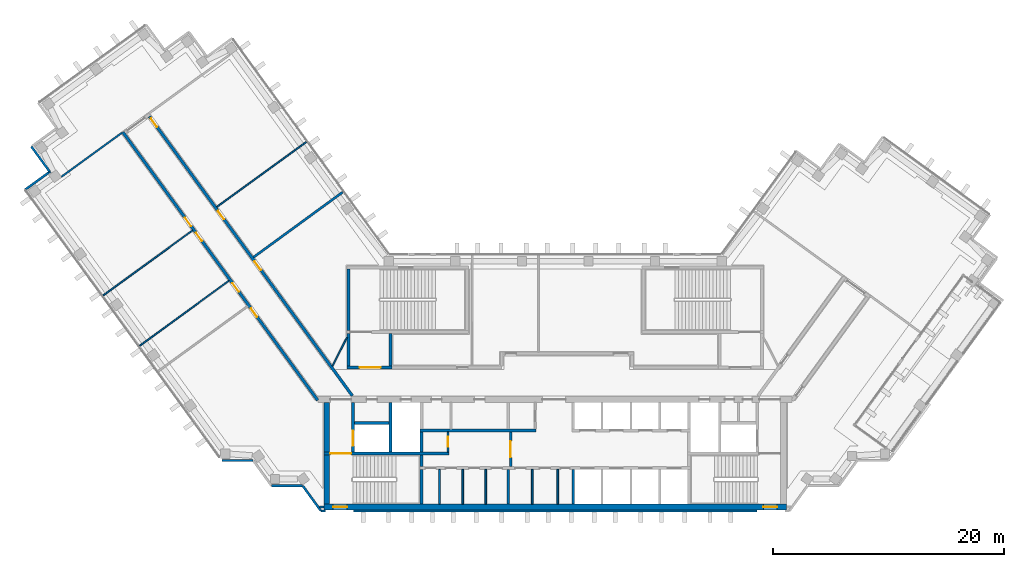
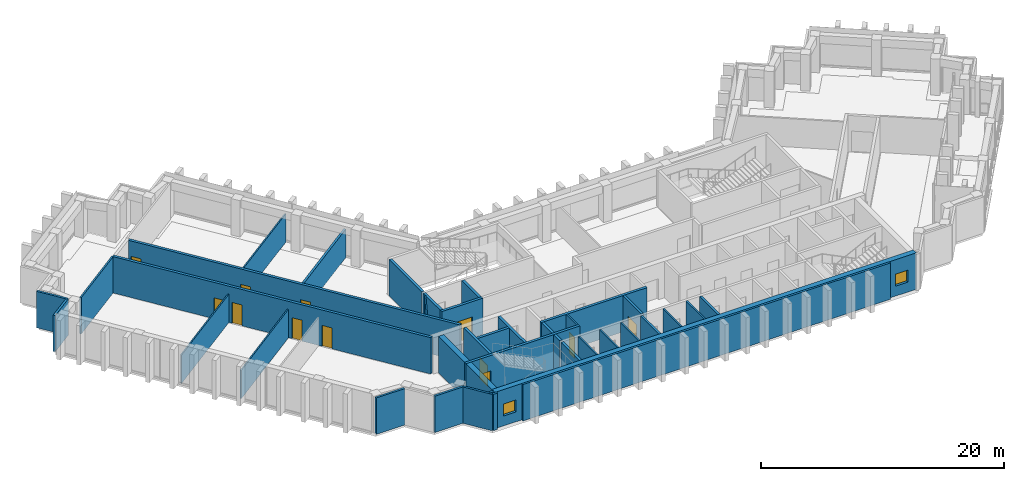
# One storey, part 4 of 10: 40 walls, 12 doors, 2 windows, 14 openings.
"""IFC4 building model written with IfcOpenShell, lengths in metres."""

from ifc_helpers import new_model, si_unit, direction, frame, frame_2d, origin, place, context, subcontext, project, spatial, rectangle, extrude, material, layer, layer_set, type_object, element, fill, save


model = new_model("IFC4")

# Units and contexts
model_context = context("Model", 3, precision=1e-05, world=origin(), true_north=direction((0.0, 1.0)))
body_context = subcontext(model_context, "Body", "Model", "MODEL_VIEW")
ifc_project = project(units=[si_unit("LENGTHUNIT", "METRE"), si_unit("AREAUNIT", "SQUARE_METRE"), si_unit("VOLUMEUNIT", "CUBIC_METRE"), si_unit("PLANEANGLEUNIT", "RADIAN"), si_unit("MASSUNIT", "GRAM", prefix="KILO")], contexts=[model_context])

# Site, building, storey
site_placement = place(None, origin())
site = spatial("IfcSite", under=ifc_project, at=site_placement, CompositionType="ELEMENT")
building_placement = place(site_placement, origin())
building = spatial("IfcBuilding", under=site, at=building_placement, Name="Quipu Civic Tower", CompositionType="ELEMENT")
storey_placement = place(building_placement, frame((0.0, 0.0, 202.0)))
storey = spatial("IfcBuildingStorey", under=building, at=storey_placement, Name="L47", CompositionType="ELEMENT", Elevation=202.0)

# Walls
ifc_material_1 = material(Name="Double gypsum plasterboard with mineral wool")
ifc_layer_1 = layer(ifc_material_1, 0.14990234375)
ifc_layer_set_1 = layer_set([ifc_layer_1], Name="Double gypsum plasterboard with mineral wool")
wall_type_1 = type_object("IfcWallType", Name="Acoustic partition 150 plasterboard", PredefinedType="PARTITIONING", material=ifc_layer_set_1)
wall_1_placement = place(storey_placement, frame((-42.69775390625, 17.809814453125, 0.0), z_axis=(0.0, 0.0, 1.0), x_axis=(0.80901688725, 0.587785399737, 0.0)))
element("IfcWall", 1, at=wall_1_placement, inside=storey, type_object=wall_type_1, Name="Partition P11", PredefinedType="PARTITIONING", context=body_context, shape_type="SweptSolid", body=[
    extrude(rectangle(XDim=6.464599609375, YDim=0.14990234375, at=frame_2d((3.232421875, 0.0))), origin(), (0.0, 0.0, 1.0), 3.64990234375),
])
ifc_material_2 = material(Name="Fired clay blockwork", Category="masonry")
ifc_layer_2 = layer(ifc_material_2, 0.199951171875)
ifc_layer_set_2 = layer_set([ifc_layer_2], Name="Fired clay blockwork")
wall_type_2 = type_object("IfcWallType", Name="Blockwork wall 200", PredefinedType="SOLIDWALL", material=ifc_layer_set_2)
wall_2_placement = place(storey_placement, frame((-26.089111328125, 10.847900390625, 0.0), z_axis=(0.0, 0.0, 1.0), x_axis=(0.807661302092, 0.589646691759, 0.0)))
element("IfcWall", 2, at=wall_2_placement, inside=storey, type_object=wall_type_2, Name="Partition P04", PredefinedType="SOLIDWALL", context=body_context, shape_type="SweptSolid", body=[
    extrude(rectangle(XDim=9.550048828125, YDim=0.199951171875, at=frame_2d((4.77490234375, 0.0))), origin(), (0.0, 0.0, 1.0), 2.85009765625),
])
ifc_material_3 = material(Name="Concrete C70/85", Category="concrete")
ifc_layer_3 = layer(ifc_material_3, 0.25)
ifc_layer_set_3 = layer_set([ifc_layer_3], Name="Concrete C70/85")
wall_type_3 = type_object("IfcWallType", Name="Core wall 250", PredefinedType="SHEAR", material=ifc_layer_set_3)
wall_3_placement = place(storey_placement, frame((-11.574951171875, -10.5, 0.0), z_axis=(0.0, 0.0, 1.0), x_axis=(0.0, 1.0, 0.0)))
element("IfcWall", 3, at=wall_3_placement, inside=storey, type_object=wall_type_3, Name="Core wall", PredefinedType="SHEAR", context=body_context, shape_type="SweptSolid", body=[
    extrude(rectangle(XDim=3.0, YDim=0.25, at=frame_2d((1.5, 0.0))), origin(), (0.0, 0.0, 1.0), 3.64990234375),
])
wall_4_placement = place(storey_placement, frame((-11.574951171875, -7.25, 0.0), z_axis=(0.0, 0.0, 1.0), x_axis=(0.0, 1.0, 0.0)))
element("IfcWall", 4, at=wall_4_placement, inside=storey, type_object=wall_type_3, Name="Core wall", PredefinedType="SHEAR", context=body_context, shape_type="SweptSolid", body=[
    extrude(rectangle(XDim=1.0, YDim=0.25, at=frame_2d((0.5, 0.0))), origin(), (0.0, 0.0, 1.0), 3.64990234375),
])

# Wall, opening, door
wall_5_placement = place(storey_placement, frame((-9.199951171875, -6.125, 0.0), z_axis=(0.0, 0.0, 1.0), x_axis=(-1.0, 0.0, 0.0)))
wall_5 = element("IfcWall", 5, at=wall_5_placement, inside=storey, type_object=wall_type_3, Name="Core wall", PredefinedType="SHEAR", context=body_context, shape_type="SweptSolid", body=[
    extrude(rectangle(XDim=10.800048828125, YDim=0.25, at=frame_2d((5.39990234375, 0.0))), origin(), (0.0, 0.0, 1.0), 3.64990234375),
])
opening_1_placement = place(wall_5_placement, frame((8.449951171875, 0.0, 0.0)))
opening_1 = element("IfcOpeningElement", 6, at=opening_1_placement, cuts=wall_5, Name="Opening CD-08", PredefinedType="OPENING", context=body_context, shape_type="SweptSolid", body=[
    extrude(rectangle(XDim=1.800048828125, YDim=2.10009765625, at=frame_2d((0.89990234375, 1.050048828125))), frame((0.0, 0.135009765625, 0.0), z_axis=(0.0, -1.0, 0.0), x_axis=(1.0, 0.0, 0.0)), (0.0, 0.0, 1.0), 0.27001953125),
])
ifc_material_4 = material(Name="Fire rated steel door", Category="steel")
door_type_1 = type_object("IfcDoorType", Name="Fire door FD90 double 1800 x 2100", OperationType="NOTDEFINED", PredefinedType="DOOR", material=ifc_material_4)
door_1_placement = place(opening_1_placement, origin())
door_1 = element("IfcDoor", 7, at=door_1_placement, inside=storey, type_object=door_type_1, Name="Door", OperationType="DOUBLE_DOOR_SINGLE_SWING", OverallHeight=2.10009765625, OverallWidth=1.800048828125, PredefinedType="DOOR", context=body_context, shape_type="SweptSolid", body=[
    extrude(rectangle(XDim=1.800048828125, YDim=2.10009765625, at=frame_2d((0.89990234375, 1.050048828125))), frame((0.0, 0.02490234375, 0.0), z_axis=(0.0, -1.0, 0.0), x_axis=(1.0, 0.0, 0.0)), (0.0, 0.0, 1.0), 0.050048828125),
])
fill(opening_1, door_1)

wall_6_placement = place(storey_placement, frame((-17.47509765625, -6.0, 0.0), z_axis=(0.0, 0.0, 1.0), x_axis=(0.0, 1.0, 0.0)))
wall_6 = element("IfcWall", 8, at=wall_6_placement, inside=storey, type_object=wall_type_3, Name="Core wall", PredefinedType="SHEAR", context=body_context, shape_type="SweptSolid", body=[
    extrude(rectangle(XDim=4.300048828125, YDim=0.25, at=frame_2d((2.14990234375, 0.0))), origin(), (0.0, 0.0, 1.0), 3.64990234375),
])
opening_2_placement = place(wall_6_placement, frame((0.550048828125, 0.0, 0.0)))
opening_2 = element("IfcOpeningElement", 9, at=opening_2_placement, cuts=wall_6, Name="Opening LD-FF1", PredefinedType="OPENING", context=body_context, shape_type="SweptSolid", body=[
    extrude(rectangle(XDim=1.300048828125, YDim=2.10009765625, at=frame_2d((0.64990234375, 1.050048828125))), frame((0.0, 0.135009765625, 0.0), z_axis=(0.0, -1.0, 0.0), x_axis=(1.0, 0.0, 0.0)), (0.0, 0.0, 1.0), 0.27001953125),
])
ifc_material_5 = material(Name="Stainless steel", Category="steel")
door_type_2 = type_object("IfcDoorType", Name="Lift landing door 1300 x 2100", OperationType="DOUBLE_DOOR_SLIDING", PredefinedType="DOOR", material=ifc_material_5)
door_2_placement = place(opening_2_placement, origin())
door_2 = element("IfcDoor", 10, at=door_2_placement, inside=storey, type_object=door_type_2, Name="Landing door FF1", OperationType="DOUBLE_DOOR_SLIDING", OverallHeight=2.10009765625, OverallWidth=1.300048828125, PredefinedType="DOOR", context=body_context, shape_type="SweptSolid", body=[
    extrude(rectangle(XDim=1.300048828125, YDim=2.10009765625, at=frame_2d((0.64990234375, 1.050048828125))), frame((0.0, 0.02490234375, 0.0), z_axis=(0.0, -1.0, 0.0), x_axis=(1.0, 0.0, 0.0)), (0.0, 0.0, 1.0), 0.050048828125),
])
fill(opening_2, door_2)

# Walls
wall_7_placement = place(storey_placement, frame((-14.22509765625, -6.0, 0.0), z_axis=(0.0, 0.0, 1.0), x_axis=(0.0, 1.0, 0.0)))
element("IfcWall", 11, at=wall_7_placement, inside=storey, type_object=wall_type_3, Name="Core wall", PredefinedType="SHEAR", context=body_context, shape_type="SweptSolid", body=[
    extrude(rectangle(XDim=4.300048828125, YDim=0.25, at=frame_2d((2.14990234375, 0.0))), origin(), (0.0, 0.0, 1.0), 3.64990234375),
])
wall_8_placement = place(storey_placement, frame((-11.574951171875, -6.0, 0.0), z_axis=(0.0, 0.0, 1.0), x_axis=(0.0, 1.0, 0.0)))
element("IfcWall", 12, at=wall_8_placement, inside=storey, type_object=wall_type_3, Name="Core wall", PredefinedType="SHEAR", context=body_context, shape_type="SweptSolid", body=[
    extrude(rectangle(XDim=1.75, YDim=0.25, at=frame_2d((0.875, 0.0))), origin(), (0.0, 0.0, 1.0), 3.64990234375),
])
wall_9_placement = place(storey_placement, frame((-11.699951171875, -4.125, 0.0), z_axis=(0.0, 0.0, 1.0), x_axis=(1.0, 0.0, 0.0)))
element("IfcWall", 13, at=wall_9_placement, inside=storey, type_object=wall_type_3, Name="Core wall", PredefinedType="SHEAR", context=body_context, shape_type="SweptSolid", body=[
    extrude(rectangle(XDim=10.050048828125, YDim=0.25, at=frame_2d((5.02490234375, 0.0))), origin(), (0.0, 0.0, 1.0), 3.64990234375),
])
wall_10_placement = place(storey_placement, frame((-17.35009765625, -3.47509765625, 0.0), z_axis=(0.0, 0.0, 1.0), x_axis=(1.0, 0.0, 0.0)))
element("IfcWall", 14, at=wall_10_placement, inside=storey, type_object=wall_type_3, Name="Core wall", PredefinedType="SHEAR", context=body_context, shape_type="SweptSolid", body=[
    extrude(rectangle(XDim=3.0, YDim=0.25, at=frame_2d((1.5, 0.0))), origin(), (0.0, 0.0, 1.0), 3.64990234375),
])

# Wall, opening, door
wall_11_placement = place(storey_placement, frame((-18.0, 1.324951171875, 0.0), z_axis=(0.0, 0.0, 1.0), x_axis=(1.0, 0.0, 0.0)))
wall_11 = element("IfcWall", 15, at=wall_11_placement, inside=storey, type_object=wall_type_3, Name="Core wall", PredefinedType="SHEAR", context=body_context, shape_type="SweptSolid", body=[
    extrude(rectangle(XDim=3.89990234375, YDim=0.25, at=frame_2d((1.949951171875, 0.0))), origin(), (0.0, 0.0, 1.0), 3.64990234375),
])
opening_3_placement = place(wall_11_placement, frame((1.10009765625, 0.0, 0.0)))
opening_3 = element("IfcOpeningElement", 16, at=opening_3_placement, cuts=wall_11, Name="Opening CD-23", PredefinedType="OPENING", context=body_context, shape_type="SweptSolid", body=[
    extrude(rectangle(XDim=1.800048828125, YDim=2.10009765625, at=frame_2d((0.89990234375, 1.050048828125))), frame((0.0, 0.135009765625, 0.0), z_axis=(0.0, -1.0, 0.0), x_axis=(1.0, 0.0, 0.0)), (0.0, 0.0, 1.0), 0.27001953125),
])
door_3_placement = place(opening_3_placement, origin())
door_3 = element("IfcDoor", 17, at=door_3_placement, inside=storey, type_object=door_type_1, Name="Lobby door", OperationType="DOUBLE_DOOR_SINGLE_SWING", OverallHeight=2.10009765625, OverallWidth=1.800048828125, PredefinedType="DOOR", context=body_context, shape_type="SweptSolid", body=[
    extrude(rectangle(XDim=1.800048828125, YDim=2.10009765625, at=frame_2d((0.89990234375, 1.050048828125))), frame((0.0, 0.02490234375, 0.0), z_axis=(0.0, -1.0, 0.0), x_axis=(1.0, 0.0, 0.0)), (0.0, 0.0, 1.0), 0.050048828125),
])
fill(opening_3, door_3)

# Walls
for number, where, z_axis, x_axis, name in (
    (18, (-17.875, 1.449951171875, 0.0), (0.0, 0.0, 1.0), (0.0, 1.0, 0.0), "Core wall"),
    (19, (-14.22509765625, 1.449951171875, 0.0), (0.0, 0.0, 1.0), (0.0, 1.0, 0.0), "Core wall"),
):
    element("IfcWall", number, at=place(storey_placement, frame(where, z_axis=z_axis, x_axis=x_axis)), inside=storey, type_object=wall_type_3, Name=name, PredefinedType="SHEAR", context=body_context, shape_type="SweptSolid", body=[
        extrude(rectangle(XDim=2.800048828125, YDim=0.25, at=frame_2d((1.39990234375, 0.0))), origin(), (0.0, 0.0, 1.0), 3.64990234375),
    ])
wall_12_placement = place(storey_placement, frame((-17.875, 4.5, 0.0), z_axis=(0.0, 0.0, 1.0), x_axis=(0.0, 1.0, 0.0)))
element("IfcWall", 20, at=wall_12_placement, inside=storey, type_object=wall_type_3, Name="Core wall", PredefinedType="SHEAR", context=body_context, shape_type="SweptSolid", body=[
    extrude(rectangle(XDim=5.35009765625, YDim=0.25, at=frame_2d((2.675048828125, 0.0))), origin(), (0.0, 0.0, 1.0), 3.64990234375),
])

# Wall, openings, windows
ifc_material_6 = material(Name="Concrete C70/85", Category="concrete")
ifc_layer_4 = layer(ifc_material_6, 0.5)
ifc_layer_set_4 = layer_set([ifc_layer_4], Name="Concrete C70/85")
wall_type_4 = type_object("IfcWallType", Name="Core wall 500", PredefinedType="SHEAR", material=ifc_layer_set_4)
wall_13_placement = place(storey_placement, frame((-20.0, -10.75, 0.0), z_axis=(0.0, 0.0, 1.0), x_axis=(1.0, 0.0, 0.0)))
wall_13 = element("IfcWall", 21, at=wall_13_placement, inside=storey, type_object=wall_type_4, Name="Core wall", PredefinedType="SHEAR", context=body_context, shape_type="SweptSolid", body=[
    extrude(rectangle(XDim=40.0, YDim=0.5, at=frame_2d((20.0, 0.0))), origin(), (0.0, 0.0, 1.0), 3.64990234375),
])
opening_4_placement = place(wall_13_placement, frame((0.800048828125, 0.0, 1.0)))
opening_4 = element("IfcOpeningElement", 22, at=opening_4_placement, cuts=wall_13, Name="Opening SV-1", PredefinedType="OPENING", context=body_context, shape_type="SweptSolid", body=[
    extrude(rectangle(XDim=1.199951171875, YDim=1.199951171875, at=frame_2d((0.60009765625, 0.60009765625))), frame((0.0, 0.260009765625, 0.0), z_axis=(0.0, -1.0, 0.0), x_axis=(1.0, 0.0, 0.0)), (0.0, 0.0, 1.0), 0.52001953125),
])
opening_5_placement = place(wall_13_placement, frame((38.0, 0.0, 1.0)))
opening_5 = element("IfcOpeningElement", 23, at=opening_5_placement, cuts=wall_13, Name="Opening SV-2", PredefinedType="OPENING", context=body_context, shape_type="SweptSolid", body=[
    extrude(rectangle(XDim=1.199951171875, YDim=1.199951171875, at=frame_2d((0.60009765625, 0.60009765625))), frame((0.0, 0.260009765625, 0.0), z_axis=(0.0, -1.0, 0.0), x_axis=(1.0, 0.0, 0.0)), (0.0, 0.0, 1.0), 0.52001953125),
])
ifc_material_7 = material(Name="Aluminium louvre", Category="aluminium")
window_type = type_object("IfcWindowType", Name="Stair ventilation louvre 1200 x 1200", PartitioningType="SINGLE_PANEL", PredefinedType="WINDOW", material=ifc_material_7)
window_1_placement = place(opening_4_placement, origin())
window_1 = element("IfcWindow", 24, at=window_1_placement, inside=storey, type_object=window_type, Name="Stair ventilation opening", OverallHeight=1.199951171875, OverallWidth=1.199951171875, PartitioningType="SINGLE_PANEL", PredefinedType="WINDOW", context=body_context, shape_type="SweptSolid", body=[
    extrude(rectangle(XDim=1.199951171875, YDim=1.199951171875, at=frame_2d((0.60009765625, 0.60009765625))), frame((0.0, 0.030029296875, 0.0), z_axis=(0.0, -1.0, 0.0), x_axis=(1.0, 0.0, 0.0)), (0.0, 0.0, 1.0), 0.06005859375),
])
fill(opening_4, window_1)
window_2_placement = place(opening_5_placement, origin())
window_2 = element("IfcWindow", 25, at=window_2_placement, inside=storey, type_object=window_type, Name="Stair ventilation opening", OverallHeight=1.199951171875, OverallWidth=1.199951171875, PartitioningType="SINGLE_PANEL", PredefinedType="WINDOW", context=body_context, shape_type="SweptSolid", body=[
    extrude(rectangle(XDim=1.199951171875, YDim=1.199951171875, at=frame_2d((0.60009765625, 0.60009765625))), frame((0.0, 0.030029296875, 0.0), z_axis=(0.0, -1.0, 0.0), x_axis=(1.0, 0.0, 0.0)), (0.0, 0.0, 1.0), 0.06005859375),
])
fill(opening_5, window_2)

# Walls
wall_14_placement = place(storey_placement, frame((-19.75, -10.5, 0.0), z_axis=(0.0, 0.0, 1.0), x_axis=(0.0, 1.0, 0.0)))
element("IfcWall", 26, at=wall_14_placement, inside=storey, type_object=wall_type_4, Name="Core wall", PredefinedType="SHEAR", context=body_context, shape_type="SweptSolid", body=[
    extrude(rectangle(XDim=4.25, YDim=0.5, at=frame_2d((2.125, 0.0))), origin(), (0.0, 0.0, 1.0), 3.64990234375),
])
wall_15_placement = place(storey_placement, frame((-19.75, -6.0, 0.0), z_axis=(0.0, 0.0, 1.0), x_axis=(0.0, 1.0, 0.0)))
element("IfcWall", 27, at=wall_15_placement, inside=storey, type_object=wall_type_4, Name="Core wall", PredefinedType="SHEAR", context=body_context, shape_type="SweptSolid", body=[
    extrude(rectangle(XDim=4.300048828125, YDim=0.5, at=frame_2d((2.14990234375, 0.0))), origin(), (0.0, 0.0, 1.0), 3.64990234375),
])

# Wall, openings, doors
ifc_material_8 = material(Name="Concrete C50/60", Category="concrete")
ifc_layer_5 = layer(ifc_material_8, 0.25)
ifc_layer_set_5 = layer_set([ifc_layer_5], Name="Concrete C50/60")
wall_type_5 = type_object("IfcWallType", Name="Corridor wall 250 concrete", PredefinedType="SOLIDWALL", material=ifc_layer_set_5)
wall_16_placement = place(storey_placement, frame((-20.531005859375, -1.5234375, 0.0), z_axis=(0.0, 0.0, 1.0), x_axis=(-0.587785812891, 0.809016587076, 0.0)))
wall_16 = element("IfcWall", 28, at=wall_16_placement, inside=storey, type_object=wall_type_5, Name="Corridor wall C04", PredefinedType="SOLIDWALL", context=body_context, shape_type="SweptSolid", body=[
    extrude(rectangle(XDim=28.67041015625, YDim=0.25, at=frame_2d((14.335205078125, 0.0))), origin(), (0.0, 0.0, 1.0), 3.64990234375),
])
opening_6_placement = place(wall_16_placement, frame((17.015380859375, 0.0, 0.0)))
opening_6 = element("IfcOpeningElement", 29, at=opening_6_placement, cuts=wall_16, Name="Opening D011", PredefinedType="OPENING", context=body_context, shape_type="SweptSolid", body=[
    extrude(rectangle(XDim=0.89990234375, YDim=2.10009765625, at=frame_2d((0.449951171875, 1.050048828125))), frame((0.0, 0.135009765625, 0.0), z_axis=(0.0, -1.0, 0.0), x_axis=(1.0, 0.0, 0.0)), (0.0, 0.0, 1.0), 0.27001953125),
])
opening_7_placement = place(wall_16_placement, frame((8.91552734375, 0.0, 0.0)))
opening_7 = element("IfcOpeningElement", 30, at=opening_7_placement, cuts=wall_16, Name="Opening D013", PredefinedType="OPENING", context=body_context, shape_type="SweptSolid", body=[
    extrude(rectangle(XDim=0.89990234375, YDim=2.10009765625, at=frame_2d((0.449951171875, 1.050048828125))), frame((0.0, 0.135009765625, 0.0), z_axis=(0.0, -1.0, 0.0), x_axis=(1.0, 0.0, 0.0)), (0.0, 0.0, 1.0), 0.27001953125),
])
opening_8_placement = place(wall_16_placement, frame((18.6162109375, 0.0, 0.0)))
opening_8 = element("IfcOpeningElement", 31, at=opening_8_placement, cuts=wall_16, Name="Opening D010", PredefinedType="OPENING", context=body_context, shape_type="SweptSolid", body=[
    extrude(rectangle(XDim=0.89990234375, YDim=2.10009765625, at=frame_2d((0.449951171875, 1.050048828125))), frame((0.0, 0.135009765625, 0.0), z_axis=(0.0, -1.0, 0.0), x_axis=(1.0, 0.0, 0.0)), (0.0, 0.0, 1.0), 0.27001953125),
])
opening_9_placement = place(wall_16_placement, frame((11.615234375, 0.0, 0.0)))
opening_9 = element("IfcOpeningElement", 32, at=opening_9_placement, cuts=wall_16, Name="Opening D012", PredefinedType="OPENING", context=body_context, shape_type="SweptSolid", body=[
    extrude(rectangle(XDim=0.89990234375, YDim=2.10009765625, at=frame_2d((0.449951171875, 1.050048828125))), frame((0.0, 0.135009765625, 0.0), z_axis=(0.0, -1.0, 0.0), x_axis=(1.0, 0.0, 0.0)), (0.0, 0.0, 1.0), 0.27001953125),
])
ifc_material_9 = material(Name="Fire rated timber door set with metal frame", Category="wood")
door_type_3 = type_object("IfcDoorType", Name="Single door 900 x 2100 FD60", OperationType="NOTDEFINED", PredefinedType="DOOR", material=ifc_material_9)
door_4_placement = place(opening_6_placement, origin())
door_4 = element("IfcDoor", 33, at=door_4_placement, inside=storey, type_object=door_type_3, Name="Door D011", OperationType="SINGLE_SWING_RIGHT", OverallHeight=2.10009765625, OverallWidth=0.89990234375, PredefinedType="DOOR", context=body_context, shape_type="SweptSolid", body=[
    extrude(rectangle(XDim=0.89990234375, YDim=2.10009765625, at=frame_2d((0.449951171875, 1.050048828125))), frame((0.0, 0.02490234375, 0.0), z_axis=(0.0, -1.0, 0.0), x_axis=(1.0, 0.0, 0.0)), (0.0, 0.0, 1.0), 0.050048828125),
])
fill(opening_6, door_4)
door_5_placement = place(opening_7_placement, origin())
door_5 = element("IfcDoor", 34, at=door_5_placement, inside=storey, type_object=door_type_3, Name="Door D013", OperationType="SINGLE_SWING_RIGHT", OverallHeight=2.10009765625, OverallWidth=0.89990234375, PredefinedType="DOOR", context=body_context, shape_type="SweptSolid", body=[
    extrude(rectangle(XDim=0.89990234375, YDim=2.10009765625, at=frame_2d((0.449951171875, 1.050048828125))), frame((0.0, 0.02490234375, 0.0), z_axis=(0.0, -1.0, 0.0), x_axis=(1.0, 0.0, 0.0)), (0.0, 0.0, 1.0), 0.050048828125),
])
fill(opening_7, door_5)
door_6_placement = place(opening_8_placement, origin())
door_6 = element("IfcDoor", 35, at=door_6_placement, inside=storey, type_object=door_type_3, Name="Door D010", OperationType="SINGLE_SWING_LEFT", OverallHeight=2.10009765625, OverallWidth=0.89990234375, PredefinedType="DOOR", context=body_context, shape_type="SweptSolid", body=[
    extrude(rectangle(XDim=0.89990234375, YDim=2.10009765625, at=frame_2d((0.449951171875, 1.050048828125))), frame((0.0, 0.02490234375, 0.0), z_axis=(0.0, -1.0, 0.0), x_axis=(1.0, 0.0, 0.0)), (0.0, 0.0, 1.0), 0.050048828125),
])
fill(opening_8, door_6)
door_7_placement = place(opening_9_placement, origin())
door_7 = element("IfcDoor", 36, at=door_7_placement, inside=storey, type_object=door_type_3, Name="Door D012", OperationType="SINGLE_SWING_RIGHT", OverallHeight=2.10009765625, OverallWidth=0.89990234375, PredefinedType="DOOR", context=body_context, shape_type="SweptSolid", body=[
    extrude(rectangle(XDim=0.89990234375, YDim=2.10009765625, at=frame_2d((0.449951171875, 1.050048828125))), frame((0.0, 0.02490234375, 0.0), z_axis=(0.0, -1.0, 0.0), x_axis=(1.0, 0.0, 0.0)), (0.0, 0.0, 1.0), 0.050048828125),
])
fill(opening_9, door_7)

wall_17_placement = place(storey_placement, frame((-35.092041015625, 23.02685546875, 0.0), z_axis=(0.0, 0.0, 1.0), x_axis=(0.587784076945, -0.809017848313, 0.0)))
wall_17 = element("IfcWall", 37, at=wall_17_placement, inside=storey, type_object=wall_type_5, Name="Corridor wall C06", PredefinedType="SOLIDWALL", context=body_context, shape_type="SweptSolid", body=[
    extrude(rectangle(XDim=29.85302734375, YDim=0.25, at=frame_2d((14.926513671875, 0.0))), origin(), (0.0, 0.0, 1.0), 3.64990234375),
])
opening_10_placement = place(wall_17_placement, frame((10.094970703125, 0.0, 0.0)))
opening_10 = element("IfcOpeningElement", 38, at=opening_10_placement, cuts=wall_17, Name="Opening D008", PredefinedType="OPENING", context=body_context, shape_type="SweptSolid", body=[
    extrude(rectangle(XDim=0.89990234375, YDim=2.10009765625, at=frame_2d((0.449951171875, 1.050048828125))), frame((0.0, 0.135009765625, 0.0), z_axis=(0.0, -1.0, 0.0), x_axis=(1.0, 0.0, 0.0)), (0.0, 0.0, 1.0), 0.27001953125),
])
opening_11_placement = place(wall_17_placement, frame((15.495361328125, 0.0, 0.0)))
opening_11 = element("IfcOpeningElement", 39, at=opening_11_placement, cuts=wall_17, Name="Opening D009", PredefinedType="OPENING", context=body_context, shape_type="SweptSolid", body=[
    extrude(rectangle(XDim=0.89990234375, YDim=2.10009765625, at=frame_2d((0.449951171875, 1.050048828125))), frame((0.0, 0.135009765625, 0.0), z_axis=(0.0, -1.0, 0.0), x_axis=(1.0, 0.0, 0.0)), (0.0, 0.0, 1.0), 0.27001953125),
])
opening_12_placement = place(wall_17_placement, frame((0.223876953125, 0.0, 0.0)))
opening_12 = element("IfcOpeningElement", 40, at=opening_12_placement, cuts=wall_17, Name="Opening D007", PredefinedType="OPENING", context=body_context, shape_type="SweptSolid", body=[
    extrude(rectangle(XDim=0.89990234375, YDim=2.10009765625, at=frame_2d((0.449951171875, 1.050048828125))), frame((0.0, 0.135009765625, 0.0), z_axis=(0.0, -1.0, 0.0), x_axis=(1.0, 0.0, 0.0)), (0.0, 0.0, 1.0), 0.27001953125),
])
door_8_placement = place(opening_10_placement, origin())
door_8 = element("IfcDoor", 41, at=door_8_placement, inside=storey, type_object=door_type_3, Name="Door D008", OperationType="SINGLE_SWING_LEFT", OverallHeight=2.10009765625, OverallWidth=0.89990234375, PredefinedType="DOOR", context=body_context, shape_type="SweptSolid", body=[
    extrude(rectangle(XDim=0.89990234375, YDim=2.10009765625, at=frame_2d((0.449951171875, 1.050048828125))), frame((0.0, 0.02490234375, 0.0), z_axis=(0.0, -1.0, 0.0), x_axis=(1.0, 0.0, 0.0)), (0.0, 0.0, 1.0), 0.050048828125),
])
fill(opening_10, door_8)
door_9_placement = place(opening_11_placement, origin())
door_9 = element("IfcDoor", 42, at=door_9_placement, inside=storey, type_object=door_type_3, Name="Door D009", OperationType="SINGLE_SWING_LEFT", OverallHeight=2.10009765625, OverallWidth=0.89990234375, PredefinedType="DOOR", context=body_context, shape_type="SweptSolid", body=[
    extrude(rectangle(XDim=0.89990234375, YDim=2.10009765625, at=frame_2d((0.449951171875, 1.050048828125))), frame((0.0, 0.02490234375, 0.0), z_axis=(0.0, -1.0, 0.0), x_axis=(1.0, 0.0, 0.0)), (0.0, 0.0, 1.0), 0.050048828125),
])
fill(opening_11, door_9)
door_10_placement = place(opening_12_placement, origin())
door_10 = element("IfcDoor", 43, at=door_10_placement, inside=storey, type_object=door_type_3, Name="Door D007", OperationType="SINGLE_SWING_LEFT", OverallHeight=2.10009765625, OverallWidth=0.89990234375, PredefinedType="DOOR", context=body_context, shape_type="SweptSolid", body=[
    extrude(rectangle(XDim=0.89990234375, YDim=2.10009765625, at=frame_2d((0.449951171875, 1.050048828125))), frame((0.0, 0.02490234375, 0.0), z_axis=(0.0, -1.0, 0.0), x_axis=(1.0, 0.0, 0.0)), (0.0, 0.0, 1.0), 0.050048828125),
])
fill(opening_12, door_10)

# Walls
ifc_material_10 = material(Name="Gypsum plasterboard on light gauge framing")
ifc_layer_6 = layer(ifc_material_10, 0.1201171875)
ifc_layer_set_6 = layer_set([ifc_layer_6], Name="Gypsum plasterboard on light gauge framing")
wall_type_6 = type_object("IfcWallType", Name="Partition 120 plasterboard", PredefinedType="PARTITIONING", material=ifc_layer_set_6)
wall_18_placement = place(storey_placement, frame((-21.525146484375, 20.8134765625, 0.0), z_axis=(0.0, 0.0, 1.0), x_axis=(-0.808994684961, -0.587815957341, 0.0)))
element("IfcWall", 44, at=wall_18_placement, inside=storey, type_object=wall_type_6, Name="Partition P05", PredefinedType="PARTITIONING", context=body_context, shape_type="SweptSolid", body=[
    extrude(rectangle(XDim=9.55029296875, YDim=0.1201171875, at=frame_2d((4.775146484375, 0.0))), origin(), (0.0, 0.0, 1.0), 2.85009765625),
])
wall_19_placement = place(storey_placement, frame((-31.356201171875, 13.163818359375, 0.0), z_axis=(0.0, 0.0, 1.0), x_axis=(-0.809102944047, -0.587666934526, 0.0)))
element("IfcWall", 45, at=wall_19_placement, inside=storey, type_object=wall_type_6, Name="Partition P07", PredefinedType="PARTITIONING", context=body_context, shape_type="SweptSolid", body=[
    extrude(rectangle(XDim=9.550048828125, YDim=0.1201171875, at=frame_2d((4.77490234375, 0.0))), origin(), (0.0, 0.0, 1.0), 2.85009765625),
])
wall_20_placement = place(storey_placement, frame((-35.919189453125, 3.196533203125, 0.0), z_axis=(0.0, 0.0, 1.0), x_axis=(0.807645841498, 0.589667868135, 0.0)))
element("IfcWall", 46, at=wall_20_placement, inside=storey, type_object=wall_type_6, Name="Partition P08", PredefinedType="PARTITIONING", context=body_context, shape_type="SweptSolid", body=[
    extrude(rectangle(XDim=9.550537109375, YDim=0.1201171875, at=frame_2d((4.775390625, 0.0))), origin(), (0.0, 0.0, 1.0), 2.85009765625),
])
wall_21_placement = place(storey_placement, frame((-19.260986328125, 1.449951171875, 0.0), z_axis=(0.0, 0.0, 1.0), x_axis=(0.453950796792, 0.891026752736, 0.0)))
element("IfcWall", 47, at=wall_21_placement, inside=storey, type_object=wall_type_6, Name="Partition P13", PredefinedType="PARTITIONING", context=body_context, shape_type="SweptSolid", body=[
    extrude(rectangle(XDim=2.77783203125, YDim=0.1201171875, at=frame_2d((1.388916015625, 0.0))), origin(), (0.0, 0.0, 1.0), 3.64990234375),
])
ifc_material_11 = material(Name="Gypsum board partition")
ifc_layer_7 = layer(ifc_material_11, 0.14990234375)
ifc_layer_set_7 = layer_set([ifc_layer_7], Name="Gypsum board partition")
wall_type_7 = type_object("IfcWallType", Name="Partition 150", PredefinedType="PARTITIONING", material=ifc_layer_set_7)
for number, where, z_axis, x_axis, name in (
    (48, (-10.0, -10.5, 0.0), (0.0, 0.0, 1.0), (0.0, 1.0, 0.0), "Partition"),
    (49, (-8.0, -10.5, 0.0), (0.0, 0.0, 1.0), (0.0, 1.0, 0.0), "Partition"),
    (50, (-6.0, -10.5, 0.0), (0.0, 0.0, 1.0), (0.0, 1.0, 0.0), "Partition"),
    (51, (-1.97509765625, -10.5, 0.0), (0.0, 0.0, 1.0), (0.0, 1.0, 0.0), "Partition"),
    (52, (0.22509765625, -10.5, 0.0), (0.0, 0.0, 1.0), (0.0, 1.0, 0.0), "Partition"),
):
    element("IfcWall", number, at=place(storey_placement, frame(where, z_axis=z_axis, x_axis=x_axis)), inside=storey, type_object=wall_type_7, Name=name, PredefinedType="PARTITIONING", context=body_context, shape_type="SweptSolid", body=[
        extrude(rectangle(XDim=3.0, YDim=0.14990234375, at=frame_2d((1.5, 0.0))), origin(), (0.0, 0.0, 1.0), 3.64990234375),
    ])

# Wall, opening, door
wall_22_placement = place(storey_placement, frame((-9.27490234375, -4.25, 0.0), z_axis=(0.0, 0.0, 1.0), x_axis=(0.0, -1.0, 0.0)))
wall_22 = element("IfcWall", 53, at=wall_22_placement, inside=storey, type_object=wall_type_7, Name="Partition", PredefinedType="PARTITIONING", context=body_context, shape_type="SweptSolid", body=[
    extrude(rectangle(XDim=1.75, YDim=0.14990234375, at=frame_2d((0.875, 0.0))), origin(), (0.0, 0.0, 1.0), 3.64990234375),
])
opening_13_placement = place(wall_22_placement, frame((0.39990234375, 0.0, 0.0)))
opening_13 = element("IfcOpeningElement", 54, at=opening_13_placement, cuts=wall_22, Name="Opening CD-11", PredefinedType="OPENING", context=body_context, shape_type="SweptSolid", body=[
    extrude(rectangle(XDim=0.89990234375, YDim=2.10009765625, at=frame_2d((0.449951171875, 1.050048828125))), frame((0.0, 0.0849609375, 0.0), z_axis=(0.0, -1.0, 0.0), x_axis=(1.0, 0.0, 0.0)), (0.0, 0.0, 1.0), 0.169921875),
])
ifc_material_12 = material(Name="Fire rated steel door", Category="steel")
door_type_4 = type_object("IfcDoorType", Name="Fire door FD60 900 x 2100", OperationType="NOTDEFINED", PredefinedType="DOOR", material=ifc_material_12)
door_11_placement = place(opening_13_placement, origin())
door_11 = element("IfcDoor", 55, at=door_11_placement, inside=storey, type_object=door_type_4, Name="Door", OperationType="SINGLE_SWING_LEFT", OverallHeight=2.10009765625, OverallWidth=0.89990234375, PredefinedType="DOOR", context=body_context, shape_type="SweptSolid", body=[
    extrude(rectangle(XDim=0.89990234375, YDim=2.10009765625, at=frame_2d((0.449951171875, 1.050048828125))), frame((0.0, 0.02490234375, 0.0), z_axis=(0.0, -1.0, 0.0), x_axis=(1.0, 0.0, 0.0)), (0.0, 0.0, 1.0), 0.050048828125),
])
fill(opening_13, door_11)

# Walls
ifc_material_13 = material(Name="Precast concrete C40/50", Category="concrete")
wall_type_8 = type_object("IfcWallType", Name="Precast cladding wall", PredefinedType="SOLIDWALL", material=ifc_material_13)
for number, where, z_axis, x_axis, name in (
    (56, (-45.29638671875, 20.43359375, 0.0), (0.0, 0.0, 1.0), (0.587762999008, -0.809033161865, 0.0), "Precast cladding wall L47 P21"),
    (57, (-43.658203125, 18.271728515625, 0.0), (0.0, 0.0, 1.0), (-0.808958916286, -0.58786518162, 0.0), "Precast cladding wall L47 P22"),
    (58, (-28.829833984375, -6.71923828125, 0.0), (0.0, 0.0, 1.0), (1.0, 0.0, 0.0), "Precast cladding wall L47 P24"),
    (59, (-24.542724609375, -8.90380859375, 0.0), (0.0, 0.0, 1.0), (1.0, 0.0, 0.0), "Precast cladding wall L47 P26"),
):
    element("IfcWall", number, at=place(storey_placement, frame(where, z_axis=z_axis, x_axis=x_axis)), inside=storey, type_object=wall_type_8, Name=name, PredefinedType="SOLIDWALL", context=body_context, shape_type="SweptSolid", body=[
        extrude(rectangle(XDim=2.699951171875, YDim=0.199951171875, at=frame_2d((1.35009765625, 0.0))), origin(), (0.0, 0.0, 1.0), 3.64990234375),
    ])
wall_23_placement = place(storey_placement, frame((-21.8330078125, -8.90869140625, 0.0), z_axis=(0.0, 0.0, 1.0), x_axis=(0.587766567315, -0.809030569476, 0.0)))
element("IfcWall", 60, at=wall_23_placement, inside=storey, type_object=wall_type_8, Name="Precast cladding wall L47 P27", PredefinedType="SOLIDWALL", context=body_context, shape_type="SweptSolid", body=[
    extrude(rectangle(XDim=2.687744140625, YDim=0.199951171875, at=frame_2d((1.34375, 0.0))), origin(), (0.0, 0.0, 1.0), 3.64990234375),
])
wall_24_placement = place(storey_placement, frame((-20.255859375, -11.087890625, 0.0), z_axis=(0.0, 0.0, 1.0), x_axis=(1.0, 0.0, 0.0)))
element("IfcWall", 61, at=wall_24_placement, inside=storey, type_object=wall_type_8, Name="Precast cladding wall L47 P28", PredefinedType="SOLIDWALL", context=body_context, shape_type="SweptSolid", body=[
    extrude(rectangle(XDim=0.40576171875, YDim=0.199951171875, at=frame_2d((0.202880859375, 0.0))), origin(), (0.0, 0.0, 1.0), 3.64990234375),
])
wall_25_placement = place(storey_placement, frame((-17.44384765625, -11.087890625, 0.0), z_axis=(0.0, 0.0, 1.0), x_axis=(1.0, 0.0, 0.0)))
element("IfcWall", 62, at=wall_25_placement, inside=storey, type_object=wall_type_8, Name="Precast cladding wall L47 P29", PredefinedType="SOLIDWALL", context=body_context, shape_type="SweptSolid", body=[
    extrude(rectangle(XDim=34.8876953125, YDim=0.199951171875, at=frame_2d((17.44384765625, 0.0))), origin(), (0.0, 0.0, 1.0), 3.64990234375),
])
wall_26_placement = place(storey_placement, frame((-19.97998046875, -10.75, 0.0), z_axis=(0.0, 0.0, 1.0), x_axis=(-1.0, 0.0, 0.0)))
element("IfcWall", 63, at=wall_26_placement, inside=storey, type_object=wall_type_8, Name="Precast cladding return L47 W", PredefinedType="SOLIDWALL", context=body_context, shape_type="SweptSolid", body=[
    extrude(rectangle(XDim=0.41650390625, YDim=0.199951171875, at=frame_2d((0.208251953125, 0.0))), origin(), (0.0, 0.0, 1.0), 3.64990234375),
])
ifc_material_14 = material(Name="Concrete C40/50", Category="concrete")
ifc_layer_8 = layer(ifc_material_14, 0.199951171875)
ifc_layer_set_8 = layer_set([ifc_layer_8], Name="Concrete C40/50")
wall_type_9 = type_object("IfcWallType", Name="Shaft wall 200", PredefinedType="SOLIDWALL", material=ifc_layer_set_8)
for number, where, z_axis, x_axis, name in (
    (64, (-4.050048828125, -10.5, 0.0), (0.0, 0.0, 1.0), (0.0, 1.0, 0.0), "Shaft wall"),
    (65, (1.550048828125, -10.5, 0.0), (0.0, 0.0, 1.0), (0.0, 1.0, 0.0), "Shaft wall"),
):
    element("IfcWall", number, at=place(storey_placement, frame(where, z_axis=z_axis, x_axis=x_axis)), inside=storey, type_object=wall_type_9, Name=name, PredefinedType="SOLIDWALL", context=body_context, shape_type="SweptSolid", body=[
        extrude(rectangle(XDim=3.0, YDim=0.199951171875, at=frame_2d((1.5, 0.0))), origin(), (0.0, 0.0, 1.0), 3.64990234375),
    ])

# Wall, opening, door
wall_27_placement = place(storey_placement, frame((-3.85009765625, -4.25, 0.0), z_axis=(0.0, 0.0, 1.0), x_axis=(0.0, -1.0, 0.0)))
wall_27 = element("IfcWall", 66, at=wall_27_placement, inside=storey, type_object=wall_type_9, Name="Shaft wall", PredefinedType="SOLIDWALL", context=body_context, shape_type="SweptSolid", body=[
    extrude(rectangle(XDim=3.0, YDim=0.199951171875, at=frame_2d((1.5, 0.0))), origin(), (0.0, 0.0, 1.0), 3.64990234375),
])
opening_14_placement = place(wall_27_placement, frame((0.800048828125, 0.0, 0.0)))
opening_14 = element("IfcOpeningElement", 67, at=opening_14_placement, cuts=wall_27, Name="Opening CD-10", PredefinedType="OPENING", context=body_context, shape_type="SweptSolid", body=[
    extrude(rectangle(XDim=1.39990234375, YDim=2.10009765625, at=frame_2d((0.699951171875, 1.050048828125))), frame((0.0, 0.10986328125, 0.0), z_axis=(0.0, -1.0, 0.0), x_axis=(1.0, 0.0, 0.0)), (0.0, 0.0, 1.0), 0.219970703125),
])
ifc_material_15 = material(Name="Fire rated steel door", Category="steel")
door_type_5 = type_object("IfcDoorType", Name="Fire door FD60 double 1400 x 2100", OperationType="NOTDEFINED", PredefinedType="DOOR", material=ifc_material_15)
door_12_placement = place(opening_14_placement, origin())
door_12 = element("IfcDoor", 68, at=door_12_placement, inside=storey, type_object=door_type_5, Name="Hall door", OperationType="DOUBLE_DOOR_SINGLE_SWING", OverallHeight=2.10009765625, OverallWidth=1.39990234375, PredefinedType="DOOR", context=body_context, shape_type="SweptSolid", body=[
    extrude(rectangle(XDim=1.39990234375, YDim=2.10009765625, at=frame_2d((0.699951171875, 1.050048828125))), frame((0.0, 0.02490234375, 0.0), z_axis=(0.0, -1.0, 0.0), x_axis=(1.0, 0.0, 0.0)), (0.0, 0.0, 1.0), 0.050048828125),
])
fill(opening_14, door_12)

save(model, "model.ifc")
